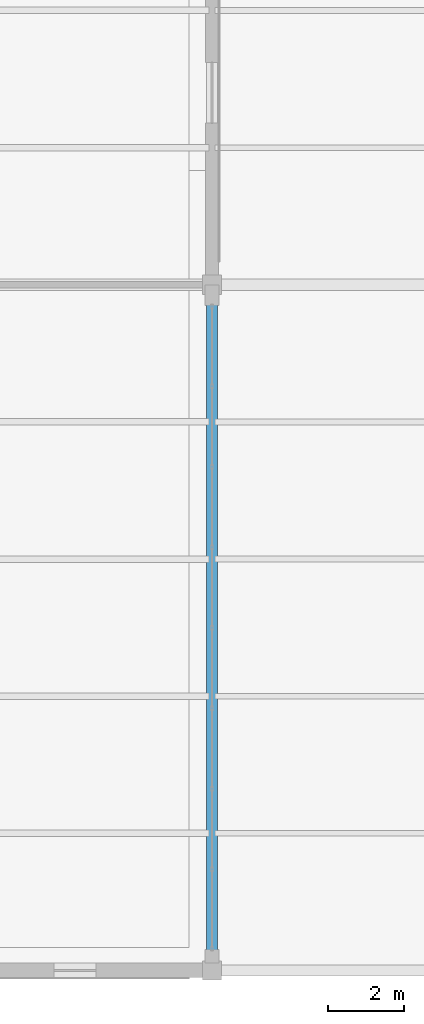
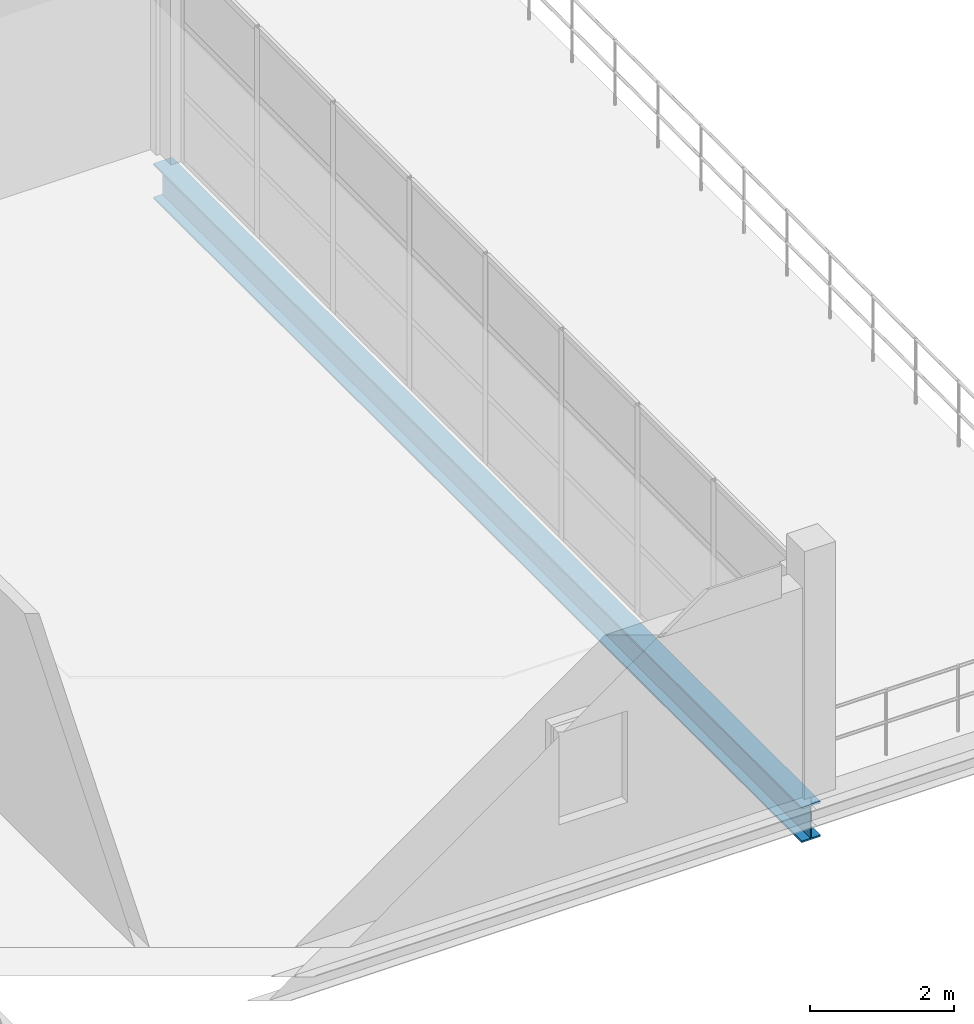
# One storey, part 3 of 11: 1 beam.
"""IFC4 building model written with IfcOpenShell, lengths in metres."""

import ifcopenshell
import ifcopenshell.guid

model = None  # the IFC model being written
_history = None  # IfcOwnerHistory: only IFC2X3 demands one
_inside = {}  # id of a spatial element -> (the spatial element, [elements in it])
_under = {}  # id of a project, library or spatial element -> (it, [spatial elements below it])
_declared = {}  # id of a project -> (the project, [libraries it declares])
_typed = {}  # id of a type object -> (the type object, [elements of that type])
_made_of = {}  # id of a material, layer set ... -> (it, [elements and type objects made of it])


def new_model(schema):
    """Start an empty IFC model of exactly this schema.

    Asked for "IFC4X3", IfcOpenShell would pick the latest addendum, in which some entities
    have other attributes; the version numbers below select the first issue.
    IFC2X3 requires an IfcOwnerHistory on every rooted entity: one is made here for all.
    """
    global model, _history
    if schema == "IFC4X3":
        model = ifcopenshell.file(schema_version=(4, 3, 0, 0))
    else:
        model = ifcopenshell.file(schema=schema)
    _inside.clear()
    _under.clear()
    _declared.clear()
    _typed.clear()
    _made_of.clear()
    _history = None
    if model.schema == "IFC2X3":
        org = make("IfcOrganization", Name="unknown")
        user = make(
            "IfcPersonAndOrganization",
            ThePerson=make("IfcPerson", FamilyName="unknown"),
            TheOrganization=org,
        )
        app = make(
            "IfcApplication",
            ApplicationDeveloper=org,
            Version="unknown",
            ApplicationFullName="unknown",
            ApplicationIdentifier="unknown",
        )
        _history = make(
            "IfcOwnerHistory",
            OwningUser=user,
            OwningApplication=app,
            ChangeAction="ADDED",
            CreationDate=0,
        )
    return model


def make(cls, **values):
    """One entity of the class cls with the attributes given. An attribute that is None is left unset."""
    return model.create_entity(
        cls, **{name: value for name, value in values.items() if value is not None}
    )


def rooted(cls, **values):
    """An entity with a GlobalId (a new one), such as an element, a storey or a relation."""
    return make(cls, GlobalId=ifcopenshell.guid.new(), OwnerHistory=_history, **values)


def si_unit(unit_type, name, prefix=None):
    """IfcSIUnit, for example si_unit("LENGTHUNIT", "METRE", prefix="MILLI")."""
    return make("IfcSIUnit", UnitType=unit_type, Prefix=prefix, Name=name)


def assignment(units):
    """IfcUnitAssignment: the units of a project."""
    return None if units is None else make("IfcUnitAssignment", Units=units)


def point(xyz):
    """IfcCartesianPoint."""
    return None if xyz is None else make("IfcCartesianPoint", Coordinates=xyz)


def direction(xyz):
    """IfcDirection."""
    return None if xyz is None else make("IfcDirection", DirectionRatios=xyz)


def frame(location, z_axis=None, x_axis=None):
    """IfcAxis2Placement3D, a coordinate frame: its origin and axes. An axis left out is left unset."""
    return make(
        "IfcAxis2Placement3D",
        Location=point(location),
        Axis=direction(z_axis),
        RefDirection=direction(x_axis),
    )


def frame_2d(location, x_axis=None):
    """IfcAxis2Placement2D, a coordinate frame in the plane: its origin and x axis."""
    return make(
        "IfcAxis2Placement2D", Location=point(location), RefDirection=direction(x_axis)
    )


def origin():
    """The frame at (0, 0, 0) with its axes left unset."""
    return frame((0.0, 0.0, 0.0))


def origin_2d():
    """The frame at (0, 0) in the plane with its x axis left unset."""
    return frame_2d((0.0, 0.0))


def place(relative_to, where):
    """IfcLocalPlacement: puts the frame where relative to a parent placement (None: the world)."""
    return make(
        "IfcLocalPlacement", PlacementRelTo=relative_to, RelativePlacement=where
    )


def context(
    kind, dimensions, precision=None, world=None, true_north=None, identifier=None
):
    """IfcGeometricRepresentationContext, for example the 3D "Model" context."""
    return make(
        "IfcGeometricRepresentationContext",
        ContextIdentifier=identifier,
        ContextType=kind,
        CoordinateSpaceDimension=dimensions,
        Precision=precision,
        WorldCoordinateSystem=world,
        TrueNorth=true_north,
    )


def subcontext(parent, identifier, kind, view, scale=None):
    """IfcGeometricRepresentationSubContext, for example "Body" below "Model"."""
    return make(
        "IfcGeometricRepresentationSubContext",
        ContextIdentifier=identifier,
        ContextType=kind,
        ParentContext=parent,
        TargetScale=scale,
        TargetView=view,
    )


def project(units=None, contexts=None):
    """IfcProject with its units and contexts."""
    return rooted(
        "IfcProject",
        Name="project",
        RepresentationContexts=contexts,
        UnitsInContext=assignment(units),
    )


def spatial(cls, under=None, at=None, **own):
    """A site, building, storey or space (cls), placed at a placement, below another one or the project."""
    s = rooted(cls, ObjectPlacement=at, **own)
    if under is not None:
        _under.setdefault(under.id(), (under, []))[1].append(s)
    return s


def profile(cls, at=None, kind="AREA", **sizes):
    """A parametric profile (cls). Its sizes go by their IFC names, for example OverallWidth=200.0."""
    return make(cls, ProfileType=kind, Position=at, **sizes)


def i_section(**sizes):
    """IfcIShapeProfileDef."""
    return profile("IfcIShapeProfileDef", **sizes)


def extrude(swept, where, along, depth):
    """IfcExtrudedAreaSolid: the profile swept, set in the frame where, extruded along a direction by depth."""
    return make(
        "IfcExtrudedAreaSolid",
        SweptArea=swept,
        Position=where,
        ExtrudedDirection=direction(along),
        Depth=depth,
    )


def shape(context_of_items, identifier, shape_type, items):
    """IfcShapeRepresentation: the items that make up one representation, for example the "Body"."""
    return make(
        "IfcShapeRepresentation",
        ContextOfItems=context_of_items,
        RepresentationIdentifier=identifier,
        RepresentationType=shape_type,
        Items=items,
    )


def material(Name=None, Category=None):
    """IfcMaterial."""
    return make("IfcMaterial", Name=Name, Category=Category)


def material_profile(
    of_material, cross_section, Name=None, Category=None, Priority=None
):
    """IfcMaterialProfile: a cross section and its material."""
    return make(
        "IfcMaterialProfile",
        Name=Name,
        Material=of_material,
        Profile=cross_section,
        Priority=Priority,
        Category=Category,
    )


def profile_set(profiles, Name=None, composite=None):
    """IfcMaterialProfileSet."""
    return make(
        "IfcMaterialProfileSet",
        Name=Name,
        MaterialProfiles=profiles,
        CompositeProfile=composite,
    )


def made_of(thing, what):
    """Note that an element or type object is made of a material, layer set ...; save() writes the relation."""
    if what is not None:
        _made_of.setdefault(what.id(), (what, []))[1].append(thing)
    return thing


def type_object(cls, material=None, **own):
    """A type object (cls), such as IfcWallType, which elements share."""
    return made_of(rooted(cls, **own), material)


def element(
    cls,
    number,
    at=None,
    inside=None,
    cuts=None,
    type_object=None,
    material=None,
    context=None,
    identifier="Body",
    shape_type=None,
    held_by="IfcProductDefinitionShape",
    body=None,
    shapes=None,
    **own,
):
    """One element of the class cls, such as IfcWall. Its Tag is "e" and its number.

    at: its placement. inside: the storey or other place that contains it. cuts: it is an
    opening in that element (IfcRelVoidsElement). A single representation is given by context,
    identifier, shape_type and body (its items); several are given by shapes. held_by: the class
    of the entity that holds the representations. save() writes the other relations.
    """
    e = rooted(cls, Tag="e%d" % number, ObjectPlacement=at, **own)
    if body is not None:
        shapes = [shape(context, identifier, shape_type, body)]
    if shapes is not None:
        e.Representation = make(held_by, Representations=shapes)
    if inside is not None:
        _inside.setdefault(inside.id(), (inside, []))[1].append(e)
    if cuts is not None:
        rooted(
            "IfcRelVoidsElement", RelatingBuildingElement=cuts, RelatedOpeningElement=e
        )
    if type_object is not None:
        _typed.setdefault(type_object.id(), (type_object, []))[1].append(e)
    return made_of(e, material)


def aggregate(whole, parts):
    """IfcRelAggregates: a whole, such as a stair, and the parts it consists of."""
    return rooted("IfcRelAggregates", RelatingObject=whole, RelatedObjects=parts)


def save(model, path):
    """Write the relations noted so far, then the file.

    IfcRelAggregates (storeys below a building ...), IfcRelContainedInSpatialStructure (elements
    in a storey), IfcRelDefinesByType, IfcRelAssociatesMaterial and IfcRelDeclares: one each for
    every whole, place, type object, material and project.
    """
    for whole, parts in _under.values():
        aggregate(whole, parts)
    for where, things in _inside.values():
        rooted(
            "IfcRelContainedInSpatialStructure",
            RelatedElements=things,
            RelatingStructure=where,
        )
    for kind, things in _typed.values():
        rooted("IfcRelDefinesByType", RelatedObjects=things, RelatingType=kind)
    for what, things in _made_of.values():
        rooted("IfcRelAssociatesMaterial", RelatedObjects=things, RelatingMaterial=what)
    for by, libraries in _declared.values():
        rooted("IfcRelDeclares", RelatingContext=by, RelatedDefinitions=libraries)
    model.write(path)


model = new_model("IFC4")

# Units and contexts
model_context = context("Model", 3, precision=1e-05, world=origin(), true_north=direction((0.0, 1.0)))
body_context = subcontext(model_context, "Body", "Model", "MODEL_VIEW")
ifc_project = project(units=[si_unit("LENGTHUNIT", "METRE"), si_unit("AREAUNIT", "SQUARE_METRE"), si_unit("VOLUMEUNIT", "CUBIC_METRE"), si_unit("PLANEANGLEUNIT", "RADIAN"), si_unit("MASSUNIT", "GRAM", prefix="KILO")], contexts=[model_context])

# Site, building, storey
site_placement = place(None, origin())
site = spatial("IfcSite", under=ifc_project, at=site_placement, CompositionType="ELEMENT")
building_placement = place(site_placement, origin())
building = spatial("IfcBuilding", under=site, at=building_placement, Name="Zilviju Railside Exhibition Hall", CompositionType="ELEMENT")
storey_placement = place(building_placement, frame((0.0, 0.0, 16.800048828125)))
storey = spatial("IfcBuildingStorey", under=building, at=storey_placement, Name="L05", CompositionType="ELEMENT", Elevation=16.800048828125)

# Beam
ifc_material = material(Name="Steel S355J2", Category="steel")
ifc_material_profile = material_profile(ifc_material, i_section(OverallWidth=0.300048828125, OverallDepth=0.60009765625, WebThickness=0.015380859375, FlangeThickness=0.030029296875, at=origin_2d()), Name="HEB 600")
ifc_profile_set = profile_set([ifc_material_profile], Name="Steel S355J2")
beam_type = type_object("IfcBeamType", Name="BM-HEB600", PredefinedType="BEAM", material=ifc_profile_set)
beam_placement = place(storey_placement, frame((36.0, 84.0, -0.6201171875), z_axis=(0.0, 1.0, 0.0), x_axis=(-1.0, 0.0, 0.0)))
element("IfcBeam", 1, at=beam_placement, inside=storey, type_object=beam_type, Name="Transverse Girder L05 X=36.0 (84.0..102.0)", PredefinedType="BEAM", context=body_context, shape_type="SweptSolid", body=[
    extrude(i_section(OverallWidth=0.300048828125, OverallDepth=0.60009765625, WebThickness=0.015380859375, FlangeThickness=0.030029296875, at=origin_2d()), origin(), (0.0, 0.0, 1.0), 18.0),
])

save(model, "model.ifc")
